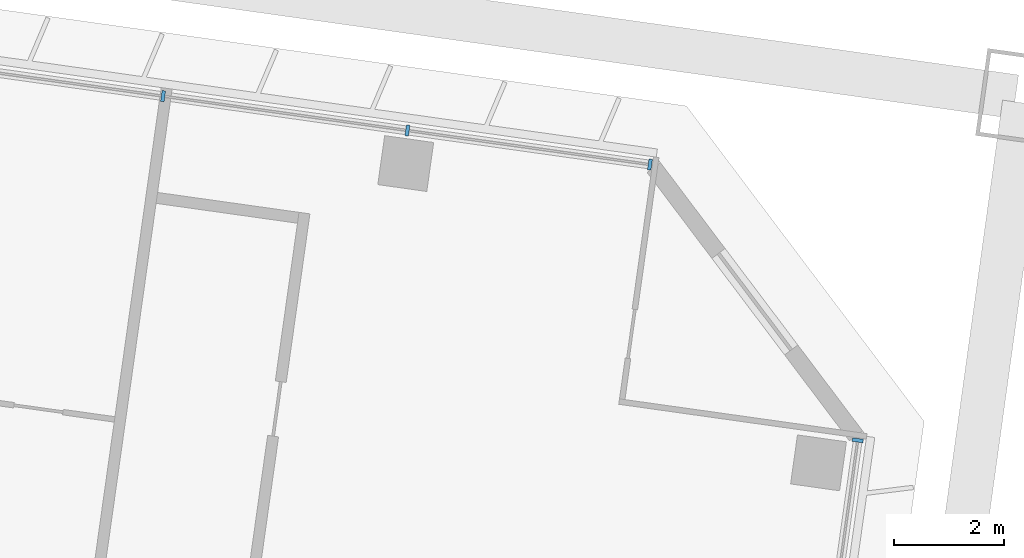
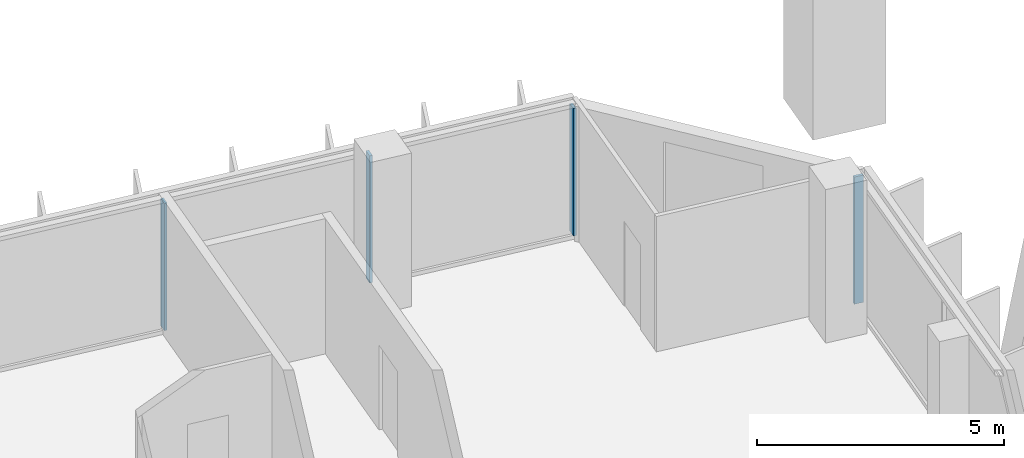
# One storey, part 14 of 41: 4 members, 2 elements without a shape of their own.
"""IFC4 building model written with IfcOpenShell, lengths in metres."""

from ifc_helpers import new_model, si_unit, direction, frame, origin, origin_2d, place, context, subcontext, project, spatial, rectangle, extrude, material, material_profile, profile_set, type_object, element, aggregate, save


model = new_model("IFC4")

# Units and contexts
model_context = context("Model", 3, precision=1e-05, world=origin(), true_north=direction((0.0, 1.0)))
body_context = subcontext(model_context, "Body", "Model", "MODEL_VIEW")
ifc_project = project(units=[si_unit("LENGTHUNIT", "METRE"), si_unit("AREAUNIT", "SQUARE_METRE"), si_unit("VOLUMEUNIT", "CUBIC_METRE"), si_unit("PLANEANGLEUNIT", "RADIAN"), si_unit("MASSUNIT", "GRAM", prefix="KILO")], contexts=[model_context])

# Site, building, storey
site_placement = place(None, origin())
site = spatial("IfcSite", under=ifc_project, at=site_placement, CompositionType="ELEMENT")
building_placement = place(site_placement, origin())
building = spatial("IfcBuilding", under=site, at=building_placement, Name="Mirante Cascada Hotel Towers", CompositionType="ELEMENT")
storey_placement = place(building_placement, frame((0.0, 0.0, 125.3)))
storey = spatial("IfcBuildingStorey", under=building, at=storey_placement, Name="L28", CompositionType="ELEMENT", Elevation=125.3)

# Curtain wall, members
ifc_material_1 = material(Name="Aluminium mullion and transom frame with clear laminated glass", Category="aluminium")
curtain_wall_type_1 = type_object("IfcCurtainWallType", Name="Ribbon curtain wall ECW1", PredefinedType="NOTDEFINED", material=ifc_material_1)
curtain_wall_1_placement = place(storey_placement, origin())
curtain_wall_1 = element("IfcCurtainWall", 1, at=curtain_wall_1_placement, inside=storey, type_object=curtain_wall_type_1, Name="Front ribbon wall T1 L28", PredefinedType="NOTDEFINED")
ifc_material_2 = material(Name="Anodised aluminium extrusion", Category="aluminium")
ifc_material_profile_1 = material_profile(ifc_material_2, rectangle(XDim=0.2, YDim=0.065, at=origin_2d()), Name="ECW1 MULLION 65x200")
ifc_profile_set_1 = profile_set([ifc_material_profile_1], Name="Anodised aluminium extrusion")
member_type_1 = type_object("IfcMemberType", Name="ECW1 mullion 65x200", PredefinedType="MULLION", material=ifc_profile_set_1)
member_1_placement = place(storey_placement, frame((-40.7892, 18.5516, 0.1), z_axis=(0.0, 0.0, 1.0), x_axis=(0.1391731, 0.9902681, 0.0)))
member_1 = element("IfcMember", 2, at=member_1_placement, type_object=member_type_1, Name="ECW1 mullion 13", PredefinedType="MULLION", context=body_context, shape_type="SweptSolid", body=[
    extrude(rectangle(XDim=0.2, YDim=0.065, at=origin_2d()), origin(), (0.0, 0.0, 1.0), 3.15),
])
member_2_placement = place(storey_placement, frame((-36.3417, 17.9265, 0.1), z_axis=(0.0, 0.0, 1.0), x_axis=(0.1391731, 0.9902681, 0.0)))
member_2 = element("IfcMember", 3, at=member_2_placement, type_object=member_type_1, Name="ECW1 mullion 14", PredefinedType="MULLION", context=body_context, shape_type="SweptSolid", body=[
    extrude(rectangle(XDim=0.2, YDim=0.065, at=origin_2d()), origin(), (0.0, 0.0, 1.0), 3.15),
])
member_3_placement = place(storey_placement, frame((-31.9265, 17.306, 0.1), z_axis=(0.0, 0.0, 1.0), x_axis=(0.1391731, 0.9902681, 0.0)))
member_3 = element("IfcMember", 4, at=member_3_placement, type_object=member_type_1, Name="ECW1 mullion 15", PredefinedType="MULLION", context=body_context, shape_type="SweptSolid", body=[
    extrude(rectangle(XDim=0.2, YDim=0.065, at=origin_2d()), origin(), (0.0, 0.0, 1.0), 3.15),
])
aggregate(curtain_wall_1, [member_1, member_2, member_3])

# Curtain wall, member
ifc_material_3 = material(Name="Aluminium mullion and transom frame with clear laminated glass", Category="aluminium")
curtain_wall_type_2 = type_object("IfcCurtainWallType", Name="End ribbon curtain wall ECW2", PredefinedType="NOTDEFINED", material=ifc_material_3)
curtain_wall_2_placement = place(storey_placement, origin())
curtain_wall_2 = element("IfcCurtainWall", 5, at=curtain_wall_2_placement, inside=storey, type_object=curtain_wall_type_2, Name="Inner end wall T1 L28", PredefinedType="NOTDEFINED")
ifc_material_4 = material(Name="Anodised aluminium extrusion", Category="aluminium")
ifc_material_profile_2 = material_profile(ifc_material_4, rectangle(XDim=0.2, YDim=0.065, at=origin_2d()), Name="ECW2 MULLION 65x200")
ifc_profile_set_2 = profile_set([ifc_material_profile_2], Name="Anodised aluminium extrusion")
member_type_2 = type_object("IfcMemberType", Name="ECW2 mullion 65x200", PredefinedType="MULLION", material=ifc_profile_set_2)
member_4_placement = place(storey_placement, frame((-28.1437, 12.2861, 0.1), z_axis=(0.0, 0.0, 1.0), x_axis=(0.9902681, -0.1391731, 0.0)))
member_4 = element("IfcMember", 6, at=member_4_placement, type_object=member_type_2, Name="ECW2 mullion 1", PredefinedType="MULLION", context=body_context, shape_type="SweptSolid", body=[
    extrude(rectangle(XDim=0.2, YDim=0.065, at=origin_2d()), origin(), (0.0, 0.0, 1.0), 3.15),
])
aggregate(curtain_wall_2, [member_4])

save(model, "model.ifc")
